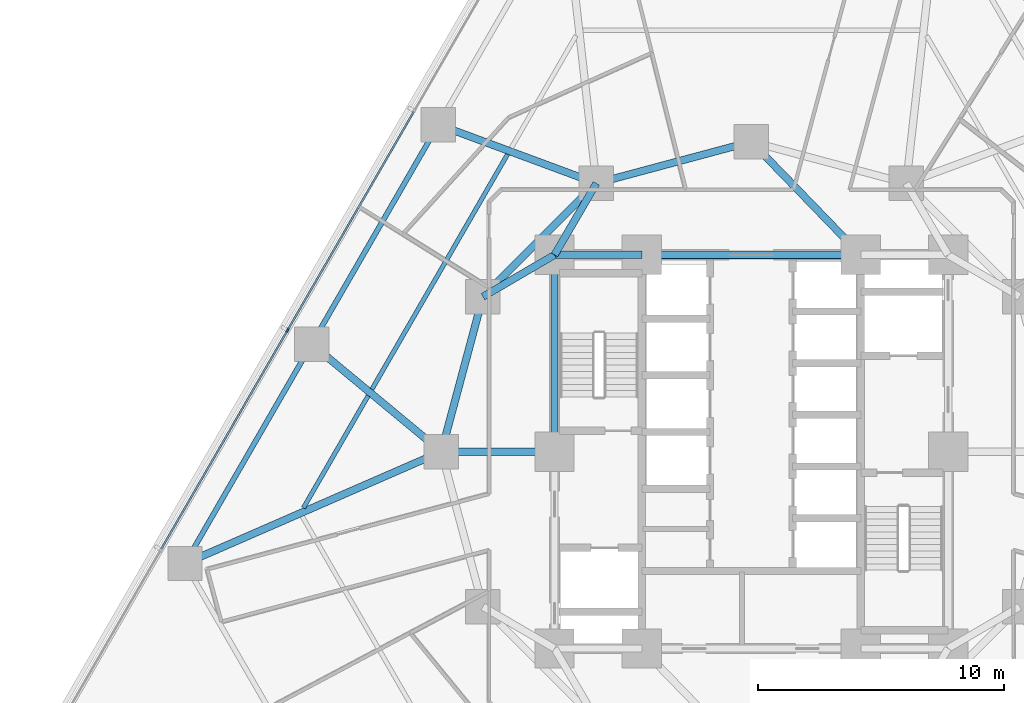
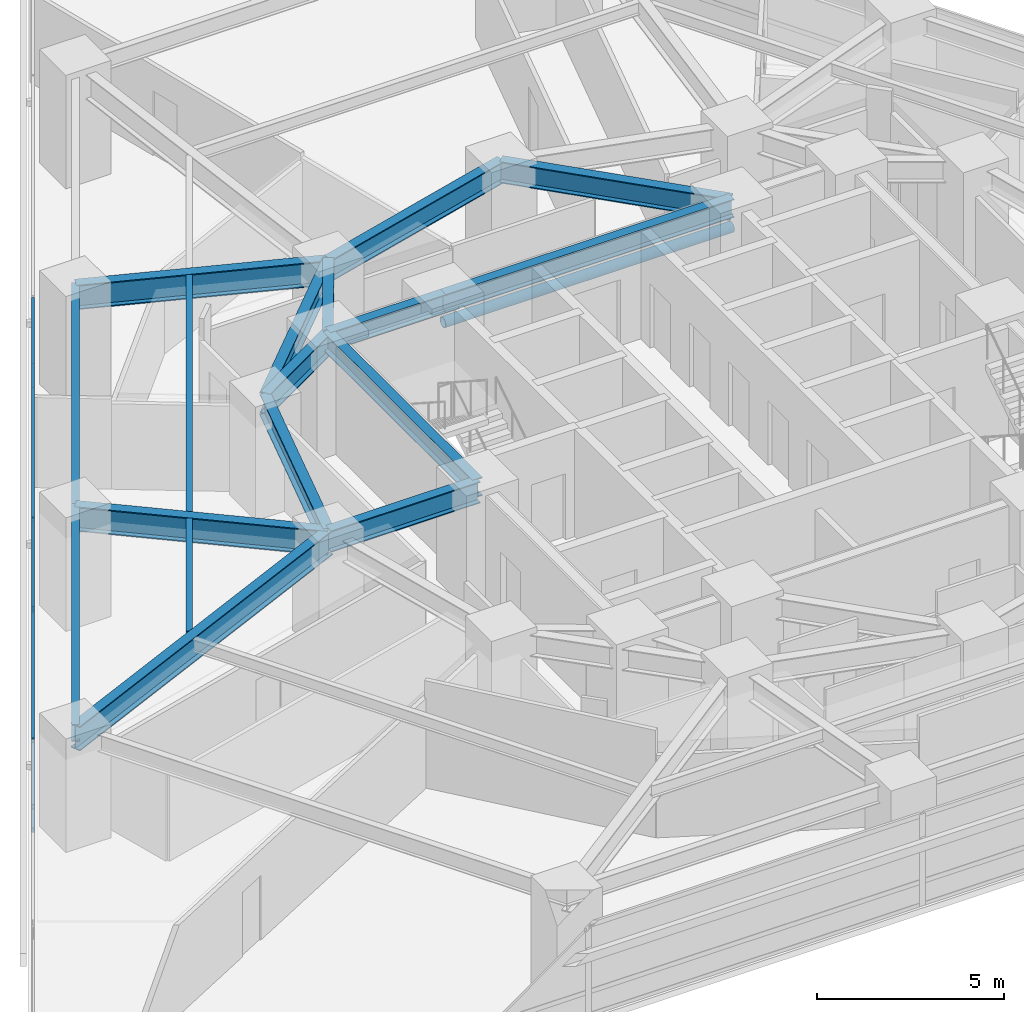
# One storey, part 3 of 15: 18 beams, 7 members, 1 element without a shape of its own.
"""IFC4 building model written with IfcOpenShell, lengths in metres."""

from ifc_helpers import new_model, si_unit, direction, frame, origin, origin_2d, place, context, subcontext, project, spatial, rectangle, hollow_circle, i_section, extrude, material, layer, layer_set, material_profile, profile_set, type_object, element, aggregate, save


model = new_model("IFC4")

# Units and contexts
model_context = context("Model", 3, precision=1e-05, world=origin(), true_north=direction((0.0, 1.0)))
body_context = subcontext(model_context, "Body", "Model", "MODEL_VIEW")
ifc_project = project(units=[si_unit("LENGTHUNIT", "METRE"), si_unit("AREAUNIT", "SQUARE_METRE"), si_unit("VOLUMEUNIT", "CUBIC_METRE"), si_unit("PLANEANGLEUNIT", "RADIAN"), si_unit("MASSUNIT", "GRAM", prefix="KILO")], contexts=[model_context])

# Site, building, storey
site_placement = place(None, origin())
site = spatial("IfcSite", under=ifc_project, at=site_placement, CompositionType="ELEMENT")
building_placement = place(site_placement, origin())
building = spatial("IfcBuilding", under=site, at=building_placement, Name="Terralouvre Media Tower", CompositionType="ELEMENT")
storey_placement = place(building_placement, frame((0.0, 0.0, 33.39990234375)))
storey = spatial("IfcBuildingStorey", under=building, at=storey_placement, Name="L07", CompositionType="ELEMENT", Elevation=33.39990234375)

# Beams
ifc_material_1 = material(Name="Structural steel S355J2", Category="steel")
ifc_material_profile_1 = material_profile(ifc_material_1, i_section(OverallWidth=0.179931640625, OverallDepth=0.39990234375, WebThickness=0.008544921875, FlangeThickness=0.013427734375, at=origin_2d()), Name="IPE 400")
ifc_profile_set_1 = profile_set([ifc_material_profile_1], Name="Structural steel S355J2")
beam_type_1 = type_object("IfcBeamType", Name="Composite Floor Joist J-IPE400 (IPE 400)", PredefinedType="JOIST", material=ifc_profile_set_1)
beam_1_placement = place(storey_placement, frame((-9.90869140625, 12.091796875, 3.300048828125), z_axis=(-0.499996323086, -0.866027526641, 0.0), x_axis=(0.866027526641, -0.499996323086, 0.0)))
element("IfcBeam", 1, at=beam_1_placement, inside=storey, type_object=beam_type_1, Name="L07 Framing Beam JT-L07-11", PredefinedType="JOIST", context=body_context, shape_type="SweptSolid", body=[
    extrude(i_section(OverallWidth=0.179931640625, OverallDepth=0.39990234375, WebThickness=0.008544921875, FlangeThickness=0.013427734375, at=origin_2d()), origin(), (0.0, 0.0, 1.0), 11.03466796875),
])
beam_2_placement = place(storey_placement, frame((-15.576171875, 2.275390625, 3.300048828125), z_axis=(-0.500019514865, -0.866014136579, 0.0), x_axis=(0.866014136579, -0.500019514865, 0.0)))
element("IfcBeam", 2, at=beam_2_placement, inside=storey, type_object=beam_type_1, Name="L07 Framing Beam JT-L07-12", PredefinedType="JOIST", context=body_context, shape_type="SweptSolid", body=[
    extrude(i_section(OverallWidth=0.179931640625, OverallDepth=0.39990234375, WebThickness=0.008544921875, FlangeThickness=0.013427734375, at=origin_2d()), origin(), (0.0, 0.0, 1.0), 5.264404296875),
])

# Curtain wall, members
ifc_material_2 = material(Name="Low-iron laminated double glazing with solar-control coating", Category="glass")
ifc_layer = layer(ifc_material_2, 0.1650390625, Name="Lower Media Tower Unitised Curtain Wall CW-02")
ifc_layer_set = layer_set([ifc_layer], Name="Low-iron laminated double glazing with solar-control coating")
curtain_wall_type = type_object("IfcCurtainWallType", Name="Lower Media Tower Unitised Curtain Wall CW-02", PredefinedType="NOTDEFINED", material=ifc_layer_set)
curtain_wall_placement = place(storey_placement, origin())
curtain_wall = element("IfcCurtainWall", 3, at=curtain_wall_placement, inside=storey, type_object=curtain_wall_type, Name="L07 Facade Curtain Wall F2", PredefinedType="NOTDEFINED")
ifc_material_3 = material(Name="Anodised extruded aluminium 6063-T6", Category="aluminium")
ifc_material_profile_2 = material_profile(ifc_material_3, rectangle(XDim=0.074951171875, YDim=0.14990234375, at=origin_2d()), Name="ALU 75x150")
ifc_profile_set_2 = profile_set([ifc_material_profile_2], Name="Anodised extruded aluminium 6063-T6")
member_type_1 = type_object("IfcMemberType", Name="Curtain-Wall Horizontal Transom TR-150", PredefinedType="USERDEFINED", material=ifc_profile_set_2)
member_1_placement = place(storey_placement, frame((-13.72216796875, 13.825927734375, 0.03759765625), z_axis=(-0.50000905659, -0.866020174897, 0.0), x_axis=(0.866020174897, -0.50000905659, 0.0)))
member_1 = element("IfcMember", 4, at=member_1_placement, type_object=member_type_1, Name="CW-02 transom 3.1", ObjectType="TRANSOM", PredefinedType="USERDEFINED", context=body_context, shape_type="SweptSolid", body=[
    extrude(rectangle(XDim=0.074951171875, YDim=0.14990234375, at=origin_2d()), origin(), (0.0, 0.0, 1.0), 10.224853515625),
])
member_2_placement = place(storey_placement, frame((-13.72216796875, 13.825927734375, 0.800048828125), z_axis=(-0.50000905659, -0.866020174897, 0.0), x_axis=(0.866020174897, -0.50000905659, 0.0)))
member_2 = element("IfcMember", 5, at=member_2_placement, type_object=member_type_1, Name="CW-02 transom 3.2", ObjectType="TRANSOM", PredefinedType="USERDEFINED", context=body_context, shape_type="SweptSolid", body=[
    extrude(rectangle(XDim=0.074951171875, YDim=0.14990234375, at=origin_2d()), origin(), (0.0, 0.0, 1.0), 10.224853515625),
])
member_3_placement = place(storey_placement, frame((-13.72216796875, 13.825927734375, 2.962646484375), z_axis=(-0.50000905659, -0.866020174897, 0.0), x_axis=(0.866020174897, -0.50000905659, 0.0)))
member_3 = element("IfcMember", 6, at=member_3_placement, type_object=member_type_1, Name="CW-02 transom 3.3", ObjectType="TRANSOM", PredefinedType="USERDEFINED", context=body_context, shape_type="SweptSolid", body=[
    extrude(rectangle(XDim=0.074951171875, YDim=0.14990234375, at=origin_2d()), origin(), (0.0, 0.0, 1.0), 10.224853515625),
])
member_4_placement = place(storey_placement, frame((-18.872314453125, 4.90576171875, 0.03759765625), z_axis=(-0.499991148707, -0.866030514021, 0.0), x_axis=(0.866030514021, -0.499991148707, 0.0)))
member_4 = element("IfcMember", 7, at=member_4_placement, type_object=member_type_1, Name="CW-02 transom 4.1", ObjectType="TRANSOM", PredefinedType="USERDEFINED", context=body_context, shape_type="SweptSolid", body=[
    extrude(rectangle(XDim=0.074951171875, YDim=0.14990234375, at=origin_2d()), origin(), (0.0, 0.0, 1.0), 10.224853515625),
])
member_5_placement = place(storey_placement, frame((-18.872314453125, 4.90576171875, 0.800048828125), z_axis=(-0.499991148707, -0.866030514021, 0.0), x_axis=(0.866030514021, -0.499991148707, 0.0)))
member_5 = element("IfcMember", 8, at=member_5_placement, type_object=member_type_1, Name="CW-02 transom 4.2", ObjectType="TRANSOM", PredefinedType="USERDEFINED", context=body_context, shape_type="SweptSolid", body=[
    extrude(rectangle(XDim=0.074951171875, YDim=0.14990234375, at=origin_2d()), origin(), (0.0, 0.0, 1.0), 10.224853515625),
])
member_6_placement = place(storey_placement, frame((-18.872314453125, 4.90576171875, 2.962646484375), z_axis=(-0.499991148707, -0.866030514021, 0.0), x_axis=(0.866030514021, -0.499991148707, 0.0)))
member_6 = element("IfcMember", 9, at=member_6_placement, type_object=member_type_1, Name="CW-02 transom 4.3", ObjectType="TRANSOM", PredefinedType="USERDEFINED", context=body_context, shape_type="SweptSolid", body=[
    extrude(rectangle(XDim=0.074951171875, YDim=0.14990234375, at=origin_2d()), origin(), (0.0, 0.0, 1.0), 10.224853515625),
])
ifc_material_4 = material(Name="Anodised extruded aluminium 6063-T6", Category="aluminium")
ifc_material_profile_3 = material_profile(ifc_material_4, rectangle(XDim=0.074951171875, YDim=0.179931640625, at=origin_2d()), Name="ALU 75x180")
ifc_profile_set_3 = profile_set([ifc_material_profile_3], Name="Anodised extruded aluminium 6063-T6")
member_type_2 = type_object("IfcMemberType", Name="Curtain-Wall Vertical Mullion ML-180", PredefinedType="MULLION", material=ifc_profile_set_3)
member_7_placement = place(storey_placement, frame((-18.853515625, 4.938232421875, 0.0), z_axis=(0.0, 0.0, 1.0), x_axis=(0.866025412057, -0.499999985671, 0.0)))
member_7 = element("IfcMember", 10, at=member_7_placement, type_object=member_type_2, Name="CW-02 mullion 4", PredefinedType="MULLION", context=body_context, shape_type="SweptSolid", body=[
    extrude(rectangle(XDim=0.074951171875, YDim=0.179931640625, at=origin_2d()), origin(), (0.0, 0.0, 1.0), 3.0),
])
aggregate(curtain_wall, [member_7, member_1, member_2, member_3, member_4, member_5, member_6])

# Beams
ifc_material_5 = material(Name="Structural steel S355J2", Category="steel")
ifc_material_profile_4 = material_profile(ifc_material_5, hollow_circle(Radius=0.161865234375, WallThickness=0.01611328125, at=origin_2d()), Name="CHS 323.9x16")
ifc_profile_set_4 = profile_set([ifc_material_profile_4], Name="Structural steel S355J2")
beam_type_2 = type_object("IfcBeamType", Name="Opening Lintel Beam LN-CHS324 (CHS 323.9x16)", PredefinedType="LINTEL", material=ifc_profile_set_4)
beam_3_placement = place(storey_placement, frame((-4.449951171875, 8.0, 2.511962890625), z_axis=(1.0, 0.0, 0.0), x_axis=(0.0, 1.0, 0.0)))
element("IfcBeam", 11, at=beam_3_placement, inside=storey, type_object=beam_type_2, Name="L07 Core North Portal Lintel LN-10", PredefinedType="LINTEL", context=body_context, shape_type="SweptSolid", body=[
    extrude(hollow_circle(Radius=0.161865234375, WallThickness=0.01611328125, at=origin_2d()), origin(), (0.0, 0.0, 1.0), 8.89990234375),
])
ifc_material_6 = material(Name="Structural steel S355J2", Category="steel")
ifc_material_profile_5 = material_profile(ifc_material_6, i_section(OverallWidth=0.2099609375, OverallDepth=0.550048828125, WebThickness=0.010986328125, FlangeThickness=0.01708984375, at=origin_2d()), Name="IPE 550")
ifc_profile_set_5 = profile_set([ifc_material_profile_5], Name="Structural steel S355J2")
beam_type_3 = type_object("IfcBeamType", Name="Perimeter Spandrel Beam SPB-550 (IPE 550)", PredefinedType="SPANDREL", material=ifc_profile_set_5)
for number, where, z_axis, x_axis, name in (
    (12, (-12.724853515625, 13.29345703125, 3.22509765625), (-0.49998850195, -0.866032042085, 0.0), (0.866032042085, -0.49998850195, 0.0), "L07 Framing Beam BM-L07-PR11"),
    (13, (-17.874755859375, 4.373291015625, 3.22509765625), (-0.500016542852, -0.866015852554, 0.0), (0.866015852554, -0.500016542852, 0.0), "L07 Framing Beam BM-L07-PR12"),
):
    element("IfcBeam", number, at=place(storey_placement, frame(where, z_axis=z_axis, x_axis=x_axis)), inside=storey, type_object=beam_type_3, Name=name, PredefinedType="SPANDREL", context=body_context, shape_type="SweptSolid", body=[
        extrude(i_section(OverallWidth=0.2099609375, OverallDepth=0.550048828125, WebThickness=0.010986328125, FlangeThickness=0.01708984375, at=origin_2d()), origin(), (0.0, 0.0, 1.0), 10.300048828125),
    ])
ifc_material_7 = material(Name="Structural steel S460M", Category="steel")
ifc_material_profile_6 = material_profile(ifc_material_7, i_section(OverallWidth=0.300048828125, OverallDepth=0.60009765625, WebThickness=0.015380859375, FlangeThickness=0.030029296875, at=origin_2d()), Name="HEB 600")
ifc_profile_set_6 = profile_set([ifc_material_profile_6], Name="Structural steel S460M")
beam_type_4 = type_object("IfcBeamType", Name="Primary Floor Girder B-HEB600 (HEB 600)", PredefinedType="BEAM", material=ifc_profile_set_6)
beam_4_placement = place(storey_placement, frame((4.449951171875, 8.0, 3.2001953125), z_axis=(-1.0, 0.0, 0.0), x_axis=(0.0, -1.0, 0.0)))
element("IfcBeam", 14, at=beam_4_placement, inside=storey, type_object=beam_type_4, Name="L07 Framing Beam BM-L07-CPR07", PredefinedType="BEAM", context=body_context, shape_type="SweptSolid", body=[
    extrude(i_section(OverallWidth=0.300048828125, OverallDepth=0.60009765625, WebThickness=0.015380859375, FlangeThickness=0.030029296875, at=origin_2d()), origin(), (0.0, 0.0, 1.0), 8.89990234375),
])
beam_5_placement = place(storey_placement, frame((-4.449951171875, 8.0, 3.2001953125), z_axis=(-1.0, 0.0, 0.0), x_axis=(0.0, -1.0, 0.0)))
element("IfcBeam", 15, at=beam_5_placement, inside=storey, type_object=beam_type_4, Name="L07 Framing Beam BM-L07-CPR08", PredefinedType="BEAM", context=body_context, shape_type="SweptSolid", body=[
    extrude(i_section(OverallWidth=0.300048828125, OverallDepth=0.60009765625, WebThickness=0.015380859375, FlangeThickness=0.030029296875, at=origin_2d()), origin(), (0.0, 0.0, 1.0), 3.550048828125),
])
beam_6_placement = place(storey_placement, frame((-8.0, 8.0, 3.2001953125), z_axis=(0.0, -1.0, 0.0), x_axis=(1.0, 0.0, 0.0)))
element("IfcBeam", 16, at=beam_6_placement, inside=storey, type_object=beam_type_4, Name="L07 Framing Beam BM-L07-CPR09", PredefinedType="BEAM", context=body_context, shape_type="SweptSolid", body=[
    extrude(i_section(OverallWidth=0.300048828125, OverallDepth=0.60009765625, WebThickness=0.015380859375, FlangeThickness=0.030029296875, at=origin_2d()), origin(), (0.0, 0.0, 1.0), 8.0),
])
ifc_material_8 = material(Name="Structural steel S460M", Category="steel")
ifc_material_profile_7 = material_profile(ifc_material_8, i_section(OverallWidth=0.300048828125, OverallDepth=0.699951171875, WebThickness=0.01708984375, FlangeThickness=0.031982421875, at=origin_2d()), Name="HEB 700")
ifc_profile_set_7 = profile_set([ifc_material_profile_7], Name="Structural steel S460M")
beam_type_5 = type_object("IfcBeamType", Name="Primary Floor Girder B-HEB700 (HEB 700)", PredefinedType="BEAM", material=ifc_profile_set_7)
beam_7_placement = place(storey_placement, frame((0.0, 12.60009765625, 3.150146484375), z_axis=(-0.965920481897, -0.258838989821, 0.0), x_axis=(0.258838989821, -0.965920481897, 0.0)))
element("IfcBeam", 17, at=beam_7_placement, inside=storey, type_object=beam_type_5, Name="L07 Framing Beam BM-L07-MR09", PredefinedType="BEAM", context=body_context, shape_type="SweptSolid", body=[
    extrude(i_section(OverallWidth=0.300048828125, OverallDepth=0.699951171875, WebThickness=0.01708984375, FlangeThickness=0.031982421875, at=origin_2d()), origin(), (0.0, 0.0, 1.0), 6.522216796875),
])
beam_8_placement = place(storey_placement, frame((-6.300048828125, 10.911865234375, 3.150146484375), z_axis=(-0.707106781187, -0.707106781187, 0.0), x_axis=(0.707106781187, -0.707106781187, 0.0)))
element("IfcBeam", 18, at=beam_8_placement, inside=storey, type_object=beam_type_5, Name="L07 Framing Beam BM-L07-MR10", PredefinedType="BEAM", context=body_context, shape_type="SweptSolid", body=[
    extrude(i_section(OverallWidth=0.300048828125, OverallDepth=0.699951171875, WebThickness=0.01708984375, FlangeThickness=0.031982421875, at=origin_2d()), origin(), (0.0, 0.0, 1.0), 6.52197265625),
])
beam_9_placement = place(storey_placement, frame((-10.911865234375, 6.300048828125, 3.150146484375), z_axis=(-0.258838989821, -0.965920481897, 0.0), x_axis=(0.965920481897, -0.258838989821, 0.0)))
element("IfcBeam", 19, at=beam_9_placement, inside=storey, type_object=beam_type_5, Name="L07 Framing Beam BM-L07-MR11", PredefinedType="BEAM", context=body_context, shape_type="SweptSolid", body=[
    extrude(i_section(OverallWidth=0.300048828125, OverallDepth=0.699951171875, WebThickness=0.01708984375, FlangeThickness=0.031982421875, at=origin_2d()), origin(), (0.0, 0.0, 1.0), 6.522216796875),
])
beam_10_placement = place(storey_placement, frame((4.449951171875, 8.0, 3.150146484375), z_axis=(-0.695279715726, 0.718739255155, 0.0), x_axis=(-0.718739255155, -0.695279715726, 0.0)))
element("IfcBeam", 20, at=beam_10_placement, inside=storey, type_object=beam_type_5, Name="L07 Framing Beam BM-L07-CM09", PredefinedType="BEAM", context=body_context, shape_type="SweptSolid", body=[
    extrude(i_section(OverallWidth=0.300048828125, OverallDepth=0.699951171875, WebThickness=0.01708984375, FlangeThickness=0.031982421875, at=origin_2d()), origin(), (0.0, 0.0, 1.0), 6.400146484375),
])
for number, where, z_axis, x_axis, name in (
    (21, (-8.0, 8.0, 3.150146484375), (0.504172629717, 0.863602894532, 0.0), (-0.863602894532, 0.504172629717, 0.0), "L07 Framing Beam BM-L07-CM10"),
    (22, (-8.0, 8.0, 3.150146484375), (-0.863602894532, -0.504172629717, 0.0), (0.504172629717, -0.863602894532, 0.0), "L07 Framing Beam BM-L07-CM11"),
):
    element("IfcBeam", number, at=place(storey_placement, frame(where, z_axis=z_axis, x_axis=x_axis)), inside=storey, type_object=beam_type_5, Name=name, PredefinedType="BEAM", context=body_context, shape_type="SweptSolid", body=[
        extrude(i_section(OverallWidth=0.300048828125, OverallDepth=0.699951171875, WebThickness=0.01708984375, FlangeThickness=0.031982421875, at=origin_2d()), origin(), (0.0, 0.0, 1.0), 3.371826171875),
    ])
beam_11_placement = place(storey_placement, frame((-8.0, 0.0, 3.150146484375), z_axis=(-1.0, 0.0, 0.0), x_axis=(0.0, -1.0, 0.0)))
element("IfcBeam", 23, at=beam_11_placement, inside=storey, type_object=beam_type_5, Name="L07 Framing Beam BM-L07-CM12", PredefinedType="BEAM", context=body_context, shape_type="SweptSolid", body=[
    extrude(i_section(OverallWidth=0.300048828125, OverallDepth=0.699951171875, WebThickness=0.01708984375, FlangeThickness=0.031982421875, at=origin_2d()), origin(), (0.0, 0.0, 1.0), 4.60009765625),
])
ifc_material_9 = material(Name="Structural steel S460M", Category="steel")
ifc_material_profile_8 = material_profile(ifc_material_9, i_section(OverallWidth=0.300048828125, OverallDepth=0.800048828125, WebThickness=0.017578125, FlangeThickness=0.032958984375, at=origin_2d()), Name="HEB 800")
ifc_profile_set_8 = profile_set([ifc_material_profile_8], Name="Structural steel S460M")
beam_type_6 = type_object("IfcBeamType", Name="Primary Floor Girder B-HEB800 (HEB 800)", PredefinedType="BEAM", material=ifc_profile_set_8)
beam_12_placement = place(storey_placement, frame((-12.60009765625, 0.0, 3.10009765625), z_axis=(-0.916615903868, -0.399769039291, 0.0), x_axis=(0.399769039291, -0.916615903868, 0.0)))
element("IfcBeam", 24, at=beam_12_placement, inside=storey, type_object=beam_type_6, Name="L07 Framing Beam BM-L07-RD01", PredefinedType="BEAM", context=body_context, shape_type="SweptSolid", body=[
    extrude(i_section(OverallWidth=0.300048828125, OverallDepth=0.800048828125, WebThickness=0.017578125, FlangeThickness=0.032958984375, at=origin_2d()), origin(), (0.0, 0.0, 1.0), 11.373046875),
])
beam_13_placement = place(storey_placement, frame((-6.300048828125, 10.911865234375, 3.10009765625), z_axis=(-0.937652019179, 0.347575446386, 0.0), x_axis=(-0.347575446386, -0.937652019179, 0.0)))
element("IfcBeam", 25, at=beam_13_placement, inside=storey, type_object=beam_type_6, Name="L07 Framing Beam BM-L07-RD11", PredefinedType="BEAM", context=body_context, shape_type="SweptSolid", body=[
    extrude(i_section(OverallWidth=0.300048828125, OverallDepth=0.800048828125, WebThickness=0.017578125, FlangeThickness=0.032958984375, at=origin_2d()), origin(), (0.0, 0.0, 1.0), 6.85205078125),
])
beam_14_placement = place(storey_placement, frame((-12.60009765625, 0.0, 3.10009765625), z_axis=(-0.769816459478, 0.638265320001, 0.0), x_axis=(-0.638265320001, -0.769816459478, 0.0)))
element("IfcBeam", 26, at=beam_14_placement, inside=storey, type_object=beam_type_6, Name="L07 Framing Beam BM-L07-RD12", PredefinedType="BEAM", context=body_context, shape_type="SweptSolid", body=[
    extrude(i_section(OverallWidth=0.300048828125, OverallDepth=0.800048828125, WebThickness=0.017578125, FlangeThickness=0.032958984375, at=origin_2d()), origin(), (0.0, 0.0, 1.0), 6.851806640625),
])

save(model, "model.ifc")
